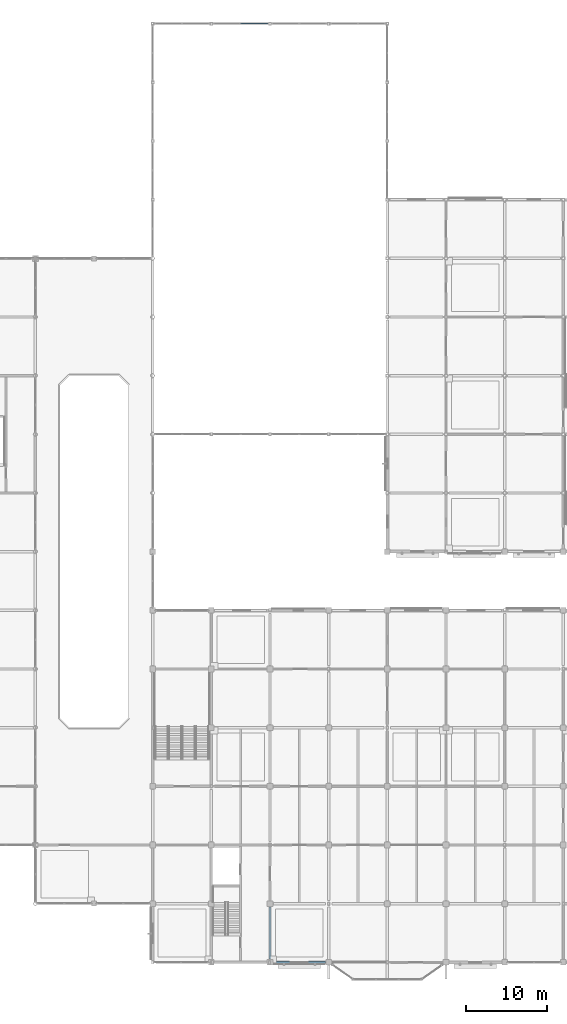
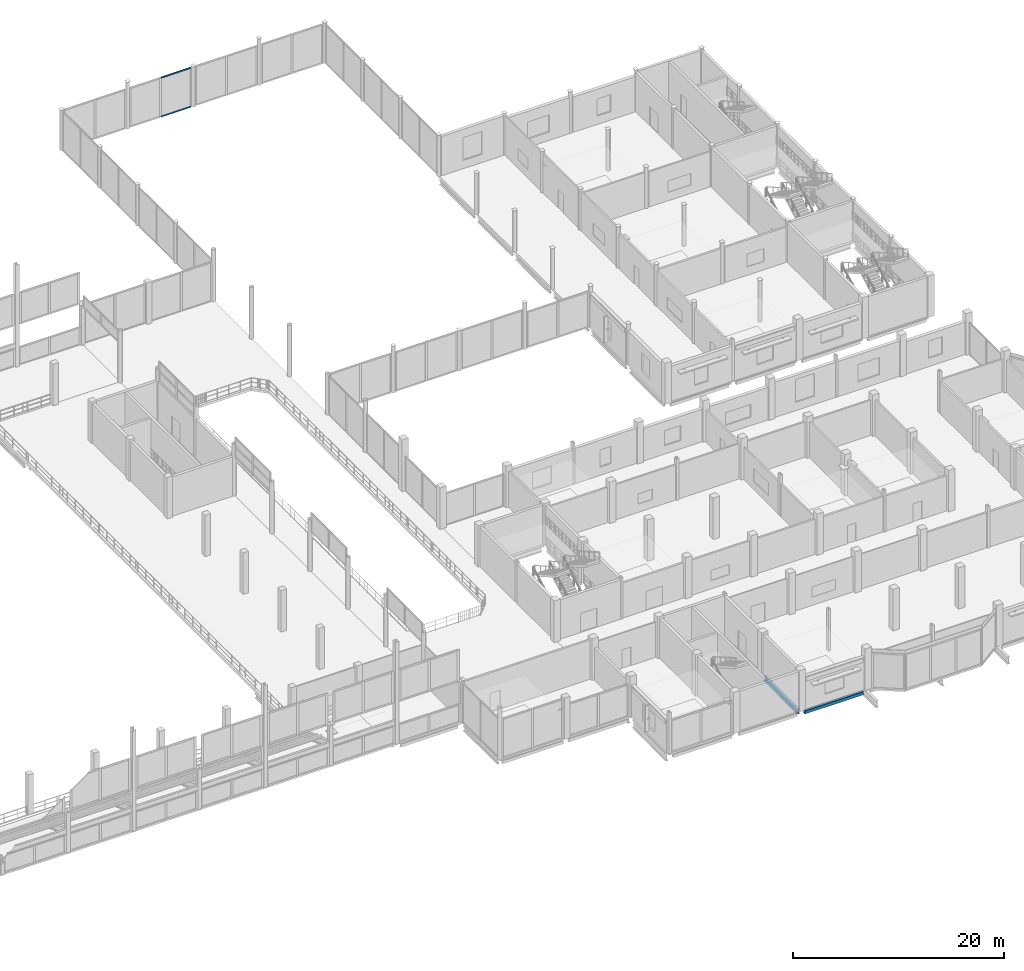
# One storey, part 62 of 120: 2 beams, 2 members, 1 element without a shape of its own.
"""IFC4 building model written with IfcOpenShell, lengths in metres."""

from ifc_helpers import new_model, si_unit, direction, frame, origin, origin_2d, place, context, subcontext, project, spatial, hollow_rectangle, i_section, extrude, material, material_profile, profile_set, type_object, element, aggregate, save


model = new_model("IFC4")

# Units and contexts
model_context = context("Model", 3, precision=1e-05, world=origin(), true_north=direction((0.0, 1.0)))
body_context = subcontext(model_context, "Body", "Model", "MODEL_VIEW")
ifc_project = project(units=[si_unit("LENGTHUNIT", "METRE"), si_unit("AREAUNIT", "SQUARE_METRE"), si_unit("VOLUMEUNIT", "CUBIC_METRE"), si_unit("PLANEANGLEUNIT", "RADIAN"), si_unit("MASSUNIT", "GRAM", prefix="KILO")], contexts=[model_context])

# Site, building, storey
site_placement = place(None, origin())
site = spatial("IfcSite", under=ifc_project, at=site_placement, CompositionType="ELEMENT")
building_placement = place(site_placement, origin())
building = spatial("IfcBuilding", under=site, at=building_placement, Name="Vesperath Aquatics Centre", CompositionType="ELEMENT")
storey_placement = place(building_placement, frame((0.0, 0.0, 10.199951171875)))
storey = spatial("IfcBuildingStorey", under=building, at=storey_placement, Name="L02", CompositionType="ELEMENT", Elevation=10.199951171875)

# Beams
ifc_material_1 = material(Name="Steel Q355C", Category="steel")
ifc_material_profile_1 = material_profile(ifc_material_1, i_section(OverallWidth=0.300048828125, OverallDepth=0.488037109375, WebThickness=0.010986328125, FlangeThickness=0.01806640625, FilletRadius=0.02587890625, at=origin_2d()), Name="HM 488x300x11x18")
ifc_profile_set_1 = profile_set([ifc_material_profile_1], Name="Steel Q355C")
beam_type_1 = type_object("IfcBeamType", Name="BM-G10", PredefinedType="BEAM", material=ifc_profile_set_1)
beam_1_placement = place(storey_placement, frame((129.60009765625, 0.39990234375, -0.50390625), z_axis=(0.0, 1.0, 0.0), x_axis=(-1.0, 0.0, 0.0)))
element("IfcBeam", 1, at=beam_1_placement, inside=storey, type_object=beam_type_1, Name="Floor Girder B10 L02 19 A-B", PredefinedType="BEAM", context=body_context, shape_type="SweptSolid", body=[
    extrude(i_section(OverallWidth=0.300048828125, OverallDepth=0.488037109375, WebThickness=0.010986328125, FlangeThickness=0.01806640625, FilletRadius=0.02587890625, at=origin_2d()), origin(), (0.0, 0.0, 1.0), 6.400146484375),
])
ifc_material_2 = material(Name="Steel Q355D", Category="steel")
ifc_material_profile_2 = material_profile(ifc_material_2, hollow_rectangle(XDim=0.25, YDim=0.35009765625, WallThickness=0.011962890625, at=origin_2d()), Name="RHS 350x250x12")
ifc_profile_set_2 = profile_set([ifc_material_profile_2], Name="Steel Q355D")
beam_type_2 = type_object("IfcBeamType", Name="BM-SP02", PredefinedType="SPANDREL", material=ifc_profile_set_2)
beam_2_placement = place(storey_placement, frame((130.0, 0.0, -0.43505859375), z_axis=(1.0, 0.0, 0.0), x_axis=(0.0, 1.0, 0.0)))
element("IfcBeam", 2, at=beam_2_placement, inside=storey, type_object=beam_type_2, Name="Floor Girder SP02 L02 A 19-20", PredefinedType="SPANDREL", context=body_context, shape_type="SweptSolid", body=[
    extrude(hollow_rectangle(XDim=0.25, YDim=0.35009765625, WallThickness=0.011962890625, at=origin_2d()), origin(), (0.0, 0.0, 1.0), 6.39990234375),
])

# Curtain wall, members
ifc_material_3 = material(Name="Thermally broken anodised bronze aluminium curtain wall", Category="aluminium")
curtain_wall_type = type_object("IfcCurtainWallType", Name="CW-06", PredefinedType="NOTDEFINED", material=ifc_material_3)
curtain_wall_placement = place(storey_placement, origin())
curtain_wall = element("IfcCurtainWall", 3, at=curtain_wall_placement, inside=storey, type_object=curtain_wall_type, Name="Facade Curtain Wall CW06 L02_N_17_16", PredefinedType="NOTDEFINED")
ifc_material_4 = material(Name="Thermally broken anodised aluminium", Category="aluminium")
ifc_material_profile_3 = material_profile(ifc_material_4, hollow_rectangle(XDim=0.070068359375, YDim=0.159912109375, WallThickness=0.0048828125, at=origin_2d()), Name="CWT 70x160x5")
ifc_profile_set_3 = profile_set([ifc_material_profile_3], Name="Thermally broken anodised aluminium")
member_type = type_object("IfcMemberType", Name="MB-CWT2", PredefinedType="USERDEFINED", material=ifc_profile_set_3)
member_1_placement = place(storey_placement, frame((126.034912109375, 115.199951171875, 0.03515625), z_axis=(1.0, 0.0, 0.0), x_axis=(0.0, 1.0, 0.0)))
member_1 = element("IfcMember", 4, at=member_1_placement, type_object=member_type, Name="CW06 transom 2.1", ObjectType="TRANSOM", PredefinedType="USERDEFINED", context=body_context, shape_type="SweptSolid", body=[
    extrude(hollow_rectangle(XDim=0.070068359375, YDim=0.159912109375, WallThickness=0.0048828125, at=origin_2d()), origin(), (0.0, 0.0, 1.0), 3.2919921875),
])
member_2_placement = place(storey_placement, frame((126.034912109375, 115.199951171875, 4.525146484375), z_axis=(1.0, 0.0, 0.0), x_axis=(0.0, 1.0, 0.0)))
member_2 = element("IfcMember", 5, at=member_2_placement, type_object=member_type, Name="CW06 transom 2.2", ObjectType="TRANSOM", PredefinedType="USERDEFINED", context=body_context, shape_type="SweptSolid", body=[
    extrude(hollow_rectangle(XDim=0.070068359375, YDim=0.159912109375, WallThickness=0.0048828125, at=origin_2d()), origin(), (0.0, 0.0, 1.0), 3.2919921875),
])
aggregate(curtain_wall, [member_1, member_2])

save(model, "model.ifc")
